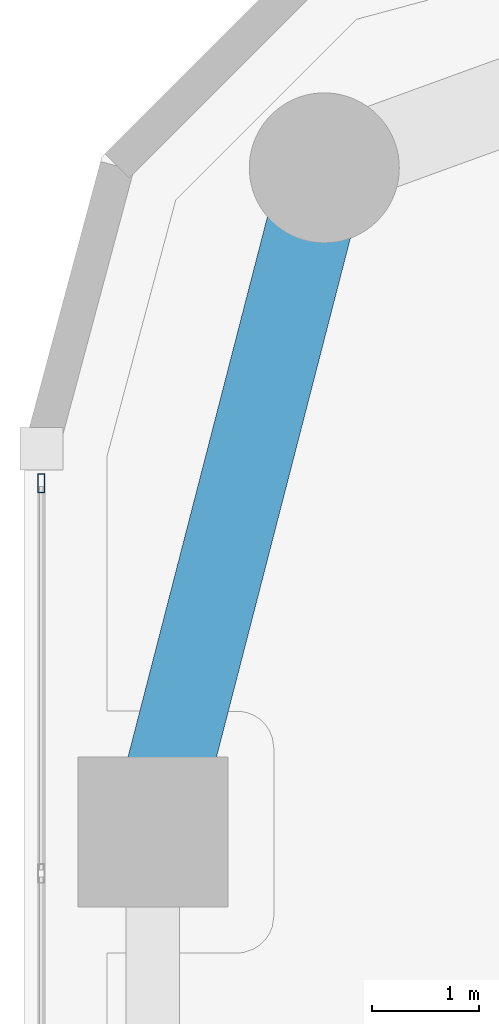
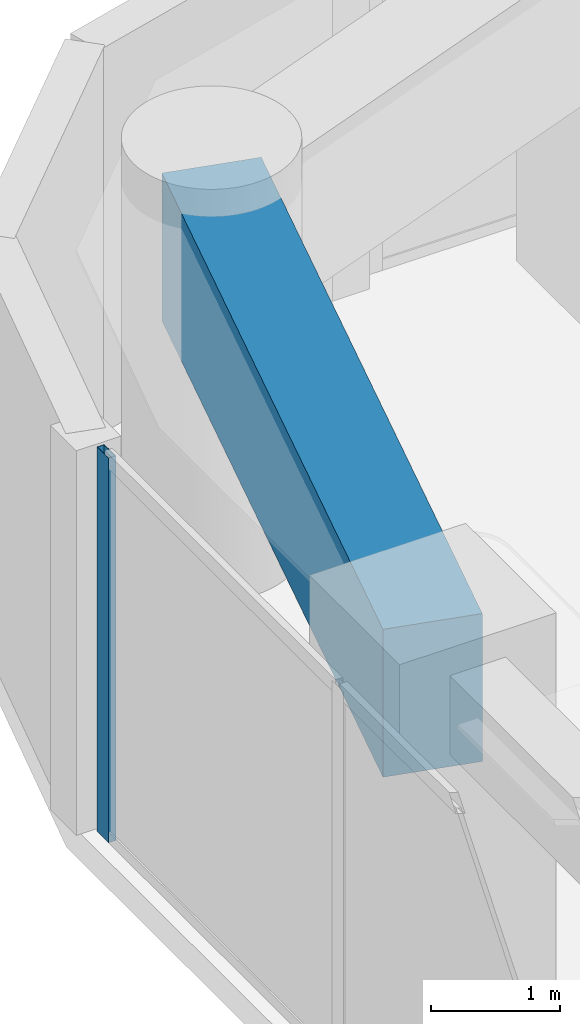
# One storey, part 11 of 24: 1 beam, 1 member, 1 element without a shape of its own.
"""IFC4 building model written with IfcOpenShell, lengths in metres."""

import ifcopenshell
import ifcopenshell.guid

model = None  # the IFC model being written
_history = None  # IfcOwnerHistory: only IFC2X3 demands one
_inside = {}  # id of a spatial element -> (the spatial element, [elements in it])
_under = {}  # id of a project, library or spatial element -> (it, [spatial elements below it])
_declared = {}  # id of a project -> (the project, [libraries it declares])
_typed = {}  # id of a type object -> (the type object, [elements of that type])
_made_of = {}  # id of a material, layer set ... -> (it, [elements and type objects made of it])


def new_model(schema):
    """Start an empty IFC model of exactly this schema.

    Asked for "IFC4X3", IfcOpenShell would pick the latest addendum, in which some entities
    have other attributes; the version numbers below select the first issue.
    IFC2X3 requires an IfcOwnerHistory on every rooted entity: one is made here for all.
    """
    global model, _history
    if schema == "IFC4X3":
        model = ifcopenshell.file(schema_version=(4, 3, 0, 0))
    else:
        model = ifcopenshell.file(schema=schema)
    _inside.clear()
    _under.clear()
    _declared.clear()
    _typed.clear()
    _made_of.clear()
    _history = None
    if model.schema == "IFC2X3":
        org = make("IfcOrganization", Name="unknown")
        user = make(
            "IfcPersonAndOrganization",
            ThePerson=make("IfcPerson", FamilyName="unknown"),
            TheOrganization=org,
        )
        app = make(
            "IfcApplication",
            ApplicationDeveloper=org,
            Version="unknown",
            ApplicationFullName="unknown",
            ApplicationIdentifier="unknown",
        )
        _history = make(
            "IfcOwnerHistory",
            OwningUser=user,
            OwningApplication=app,
            ChangeAction="ADDED",
            CreationDate=0,
        )
    return model


def make(cls, **values):
    """One entity of the class cls with the attributes given. An attribute that is None is left unset."""
    return model.create_entity(
        cls, **{name: value for name, value in values.items() if value is not None}
    )


def rooted(cls, **values):
    """An entity with a GlobalId (a new one), such as an element, a storey or a relation."""
    return make(cls, GlobalId=ifcopenshell.guid.new(), OwnerHistory=_history, **values)


def si_unit(unit_type, name, prefix=None):
    """IfcSIUnit, for example si_unit("LENGTHUNIT", "METRE", prefix="MILLI")."""
    return make("IfcSIUnit", UnitType=unit_type, Prefix=prefix, Name=name)


def assignment(units):
    """IfcUnitAssignment: the units of a project."""
    return None if units is None else make("IfcUnitAssignment", Units=units)


def point(xyz):
    """IfcCartesianPoint."""
    return None if xyz is None else make("IfcCartesianPoint", Coordinates=xyz)


def direction(xyz):
    """IfcDirection."""
    return None if xyz is None else make("IfcDirection", DirectionRatios=xyz)


def frame(location, z_axis=None, x_axis=None):
    """IfcAxis2Placement3D, a coordinate frame: its origin and axes. An axis left out is left unset."""
    return make(
        "IfcAxis2Placement3D",
        Location=point(location),
        Axis=direction(z_axis),
        RefDirection=direction(x_axis),
    )


def frame_2d(location, x_axis=None):
    """IfcAxis2Placement2D, a coordinate frame in the plane: its origin and x axis."""
    return make(
        "IfcAxis2Placement2D", Location=point(location), RefDirection=direction(x_axis)
    )


def origin():
    """The frame at (0, 0, 0) with its axes left unset."""
    return frame((0.0, 0.0, 0.0))


def origin_2d():
    """The frame at (0, 0) in the plane with its x axis left unset."""
    return frame_2d((0.0, 0.0))


def place(relative_to, where):
    """IfcLocalPlacement: puts the frame where relative to a parent placement (None: the world)."""
    return make(
        "IfcLocalPlacement", PlacementRelTo=relative_to, RelativePlacement=where
    )


def context(
    kind, dimensions, precision=None, world=None, true_north=None, identifier=None
):
    """IfcGeometricRepresentationContext, for example the 3D "Model" context."""
    return make(
        "IfcGeometricRepresentationContext",
        ContextIdentifier=identifier,
        ContextType=kind,
        CoordinateSpaceDimension=dimensions,
        Precision=precision,
        WorldCoordinateSystem=world,
        TrueNorth=true_north,
    )


def subcontext(parent, identifier, kind, view, scale=None):
    """IfcGeometricRepresentationSubContext, for example "Body" below "Model"."""
    return make(
        "IfcGeometricRepresentationSubContext",
        ContextIdentifier=identifier,
        ContextType=kind,
        ParentContext=parent,
        TargetScale=scale,
        TargetView=view,
    )


def project(units=None, contexts=None):
    """IfcProject with its units and contexts."""
    return rooted(
        "IfcProject",
        Name="project",
        RepresentationContexts=contexts,
        UnitsInContext=assignment(units),
    )


def spatial(cls, under=None, at=None, **own):
    """A site, building, storey or space (cls), placed at a placement, below another one or the project."""
    s = rooted(cls, ObjectPlacement=at, **own)
    if under is not None:
        _under.setdefault(under.id(), (under, []))[1].append(s)
    return s


def profile(cls, at=None, kind="AREA", **sizes):
    """A parametric profile (cls). Its sizes go by their IFC names, for example OverallWidth=200.0."""
    return make(cls, ProfileType=kind, Position=at, **sizes)


def rectangle(**sizes):
    """IfcRectangleProfileDef."""
    return profile("IfcRectangleProfileDef", **sizes)


def hollow_rectangle(**sizes):
    """IfcRectangleHollowProfileDef."""
    return profile("IfcRectangleHollowProfileDef", **sizes)


def extrude(swept, where, along, depth):
    """IfcExtrudedAreaSolid: the profile swept, set in the frame where, extruded along a direction by depth."""
    return make(
        "IfcExtrudedAreaSolid",
        SweptArea=swept,
        Position=where,
        ExtrudedDirection=direction(along),
        Depth=depth,
    )


def shape(context_of_items, identifier, shape_type, items):
    """IfcShapeRepresentation: the items that make up one representation, for example the "Body"."""
    return make(
        "IfcShapeRepresentation",
        ContextOfItems=context_of_items,
        RepresentationIdentifier=identifier,
        RepresentationType=shape_type,
        Items=items,
    )


def material(Name=None, Category=None):
    """IfcMaterial."""
    return make("IfcMaterial", Name=Name, Category=Category)


def layer(
    of_material, thickness, ventilated=None, Name=None, Category=None, Priority=None
):
    """IfcMaterialLayer: one layer of a wall or slab, of a material (None: an air gap)."""
    return make(
        "IfcMaterialLayer",
        Material=of_material,
        LayerThickness=thickness,
        IsVentilated=ventilated,
        Name=Name,
        Category=Category,
        Priority=Priority,
    )


def layer_set(layers, Name=None):
    """IfcMaterialLayerSet."""
    return make("IfcMaterialLayerSet", MaterialLayers=layers, LayerSetName=Name)


def material_profile(
    of_material, cross_section, Name=None, Category=None, Priority=None
):
    """IfcMaterialProfile: a cross section and its material."""
    return make(
        "IfcMaterialProfile",
        Name=Name,
        Material=of_material,
        Profile=cross_section,
        Priority=Priority,
        Category=Category,
    )


def profile_set(profiles, Name=None, composite=None):
    """IfcMaterialProfileSet."""
    return make(
        "IfcMaterialProfileSet",
        Name=Name,
        MaterialProfiles=profiles,
        CompositeProfile=composite,
    )


def made_of(thing, what):
    """Note that an element or type object is made of a material, layer set ...; save() writes the relation."""
    if what is not None:
        _made_of.setdefault(what.id(), (what, []))[1].append(thing)
    return thing


def type_object(cls, material=None, **own):
    """A type object (cls), such as IfcWallType, which elements share."""
    return made_of(rooted(cls, **own), material)


def element(
    cls,
    number,
    at=None,
    inside=None,
    cuts=None,
    type_object=None,
    material=None,
    context=None,
    identifier="Body",
    shape_type=None,
    held_by="IfcProductDefinitionShape",
    body=None,
    shapes=None,
    **own,
):
    """One element of the class cls, such as IfcWall. Its Tag is "e" and its number.

    at: its placement. inside: the storey or other place that contains it. cuts: it is an
    opening in that element (IfcRelVoidsElement). A single representation is given by context,
    identifier, shape_type and body (its items); several are given by shapes. held_by: the class
    of the entity that holds the representations. save() writes the other relations.
    """
    e = rooted(cls, Tag="e%d" % number, ObjectPlacement=at, **own)
    if body is not None:
        shapes = [shape(context, identifier, shape_type, body)]
    if shapes is not None:
        e.Representation = make(held_by, Representations=shapes)
    if inside is not None:
        _inside.setdefault(inside.id(), (inside, []))[1].append(e)
    if cuts is not None:
        rooted(
            "IfcRelVoidsElement", RelatingBuildingElement=cuts, RelatedOpeningElement=e
        )
    if type_object is not None:
        _typed.setdefault(type_object.id(), (type_object, []))[1].append(e)
    return made_of(e, material)


def aggregate(whole, parts):
    """IfcRelAggregates: a whole, such as a stair, and the parts it consists of."""
    return rooted("IfcRelAggregates", RelatingObject=whole, RelatedObjects=parts)


def save(model, path):
    """Write the relations noted so far, then the file.

    IfcRelAggregates (storeys below a building ...), IfcRelContainedInSpatialStructure (elements
    in a storey), IfcRelDefinesByType, IfcRelAssociatesMaterial and IfcRelDeclares: one each for
    every whole, place, type object, material and project.
    """
    for whole, parts in _under.values():
        aggregate(whole, parts)
    for where, things in _inside.values():
        rooted(
            "IfcRelContainedInSpatialStructure",
            RelatedElements=things,
            RelatingStructure=where,
        )
    for kind, things in _typed.values():
        rooted("IfcRelDefinesByType", RelatedObjects=things, RelatingType=kind)
    for what, things in _made_of.values():
        rooted("IfcRelAssociatesMaterial", RelatedObjects=things, RelatingMaterial=what)
    for by, libraries in _declared.values():
        rooted("IfcRelDeclares", RelatingContext=by, RelatedDefinitions=libraries)
    model.write(path)


model = new_model("IFC4")

# Units and contexts
model_context = context("Model", 3, precision=1e-05, world=origin(), true_north=direction((0.0, 1.0)))
body_context = subcontext(model_context, "Body", "Model", "MODEL_VIEW")
ifc_project = project(units=[si_unit("LENGTHUNIT", "METRE"), si_unit("AREAUNIT", "SQUARE_METRE"), si_unit("VOLUMEUNIT", "CUBIC_METRE"), si_unit("PLANEANGLEUNIT", "RADIAN"), si_unit("MASSUNIT", "GRAM", prefix="KILO")], contexts=[model_context])

# Site, building, storey
site_placement = place(None, origin())
site = spatial("IfcSite", under=ifc_project, at=site_placement, CompositionType="ELEMENT")
building_placement = place(site_placement, origin())
building = spatial("IfcBuilding", under=site, at=building_placement, Name="Kiyonajd Concourse Tower", CompositionType="ELEMENT")
storey_placement = place(building_placement, frame((0.0, 0.0, 101.39990234375)))
storey = spatial("IfcBuildingStorey", under=building, at=storey_placement, Name="L26", CompositionType="ELEMENT", Elevation=101.39990234375)

# Beam
ifc_material_1 = material(Name="Concrete C60/75", Category="concrete")
ifc_material_profile_1 = material_profile(ifc_material_1, rectangle(XDim=0.800048828125, YDim=1.39990234375, at=origin_2d()), Name="RCBM-800x1400")
ifc_profile_set_1 = profile_set([ifc_material_profile_1], Name="Concrete C60/75")
beam_type = type_object("IfcBeamType", Name="BM-XFER-RC", PredefinedType="BEAM", material=ifc_profile_set_1)
beam_placement = place(storey_placement, frame((20.800048828125, 59.60009765625, 2.940185546875), z_axis=(-0.249884937687, -0.968275538221, 0.0), x_axis=(0.968275538221, -0.249884937687, 0.0)))
element("IfcBeam", 1, at=beam_placement, inside=storey, type_object=beam_type, Name="L26 Perimeter Bundled Tube Spandrel", PredefinedType="BEAM", context=body_context, shape_type="SweptSolid", body=[
    extrude(rectangle(XDim=0.800048828125, YDim=1.39990234375, at=origin_2d()), origin(), (0.0, 0.0, 1.0), 6.4033203125),
])

# Curtain wall, member
ifc_material_2 = material(Name="Thermally Broken Anodised Aluminium", Category="aluminium")
ifc_layer = layer(ifc_material_2, 0.179931640625)
ifc_layer_set = layer_set([ifc_layer], Name="Thermally Broken Anodised Aluminium")
curtain_wall_type = type_object("IfcCurtainWallType", Name="CW-SYS-03", PredefinedType="NOTDEFINED", material=ifc_layer_set)
curtain_wall_placement = place(storey_placement, origin())
curtain_wall = element("IfcCurtainWall", 2, at=curtain_wall_placement, inside=storey, type_object=curtain_wall_type, Name="L26 Unitised Curtain Wall CW3", PredefinedType="NOTDEFINED")
ifc_material_profile_2 = material_profile(ifc_material_2, hollow_rectangle(XDim=0.06494140625, YDim=0.179931640625, WallThickness=0.00390625, at=origin_2d()), Name="MULL-65x180")
ifc_profile_set_2 = profile_set([ifc_material_profile_2], Name="Thermally Broken Anodised Aluminium")
member_type = type_object("IfcMemberType", Name="MB-CW-MULL1", PredefinedType="MULLION", material=ifc_profile_set_2)
member_placement = place(storey_placement, frame((18.159912109375, 56.656494140625, 0.0), z_axis=(0.0, 0.0, 1.0), x_axis=(-1.0, 0.0, 0.0)))
member = element("IfcMember", 3, at=member_placement, type_object=member_type, Name="CW3 mullion 7", PredefinedType="MULLION", context=body_context, shape_type="SweptSolid", body=[
    extrude(hollow_rectangle(XDim=0.06494140625, YDim=0.179931640625, WallThickness=0.00390625, at=origin_2d()), origin(), (0.0, 0.0, 1.0), 3.64013671875),
])
aggregate(curtain_wall, [member])

save(model, "model.ifc")
